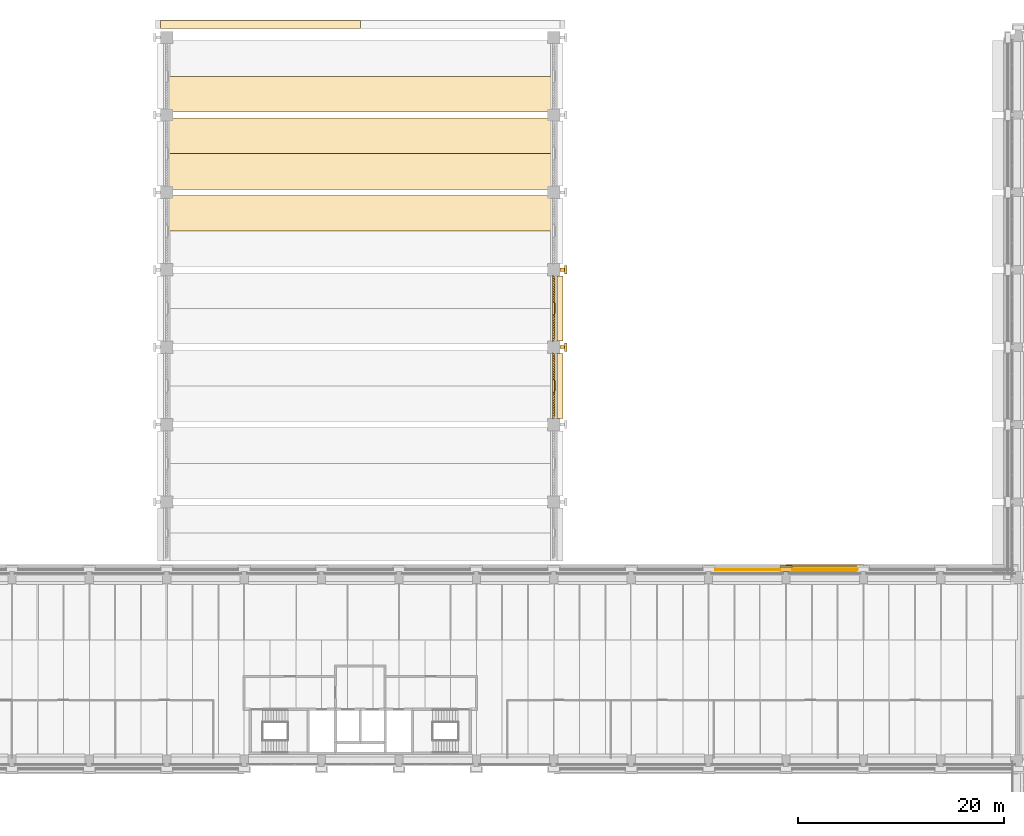
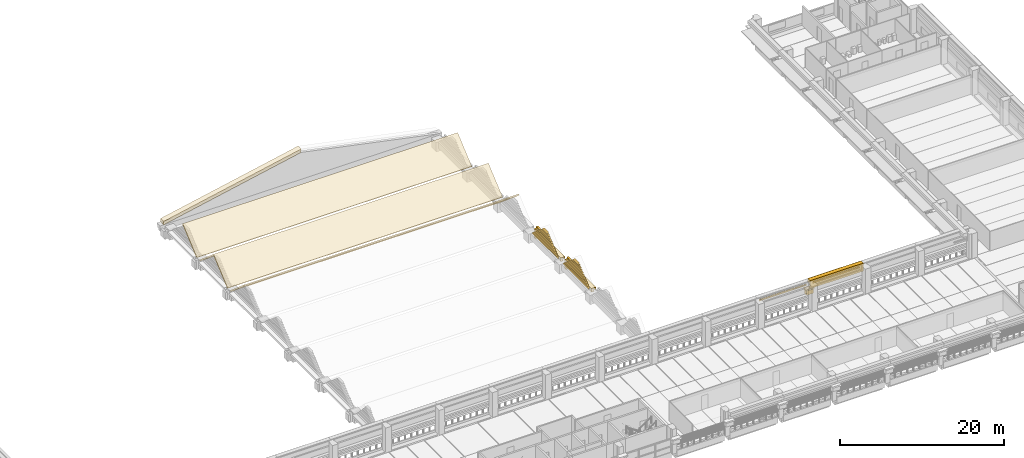
# One storey, part 56 of 71: 22 shading devices, 16 coverings, 3 elements without a shape of their own.
"""IFC4 building model written with IfcOpenShell, lengths in metres."""

import ifcopenshell
import ifcopenshell.guid

model = None  # the IFC model being written
_history = None  # IfcOwnerHistory: only IFC2X3 demands one
_inside = {}  # id of a spatial element -> (the spatial element, [elements in it])
_under = {}  # id of a project, library or spatial element -> (it, [spatial elements below it])
_declared = {}  # id of a project -> (the project, [libraries it declares])
_typed = {}  # id of a type object -> (the type object, [elements of that type])
_made_of = {}  # id of a material, layer set ... -> (it, [elements and type objects made of it])


def new_model(schema):
    """Start an empty IFC model of exactly this schema.

    Asked for "IFC4X3", IfcOpenShell would pick the latest addendum, in which some entities
    have other attributes; the version numbers below select the first issue.
    IFC2X3 requires an IfcOwnerHistory on every rooted entity: one is made here for all.
    """
    global model, _history
    if schema == "IFC4X3":
        model = ifcopenshell.file(schema_version=(4, 3, 0, 0))
    else:
        model = ifcopenshell.file(schema=schema)
    _inside.clear()
    _under.clear()
    _declared.clear()
    _typed.clear()
    _made_of.clear()
    _history = None
    if model.schema == "IFC2X3":
        org = make("IfcOrganization", Name="unknown")
        user = make(
            "IfcPersonAndOrganization",
            ThePerson=make("IfcPerson", FamilyName="unknown"),
            TheOrganization=org,
        )
        app = make(
            "IfcApplication",
            ApplicationDeveloper=org,
            Version="unknown",
            ApplicationFullName="unknown",
            ApplicationIdentifier="unknown",
        )
        _history = make(
            "IfcOwnerHistory",
            OwningUser=user,
            OwningApplication=app,
            ChangeAction="ADDED",
            CreationDate=0,
        )
    return model


def make(cls, **values):
    """One entity of the class cls with the attributes given. An attribute that is None is left unset."""
    return model.create_entity(
        cls, **{name: value for name, value in values.items() if value is not None}
    )


def rooted(cls, **values):
    """An entity with a GlobalId (a new one), such as an element, a storey or a relation."""
    return make(cls, GlobalId=ifcopenshell.guid.new(), OwnerHistory=_history, **values)


def si_unit(unit_type, name, prefix=None):
    """IfcSIUnit, for example si_unit("LENGTHUNIT", "METRE", prefix="MILLI")."""
    return make("IfcSIUnit", UnitType=unit_type, Prefix=prefix, Name=name)


def assignment(units):
    """IfcUnitAssignment: the units of a project."""
    return None if units is None else make("IfcUnitAssignment", Units=units)


def point(xyz):
    """IfcCartesianPoint."""
    return None if xyz is None else make("IfcCartesianPoint", Coordinates=xyz)


def direction(xyz):
    """IfcDirection."""
    return None if xyz is None else make("IfcDirection", DirectionRatios=xyz)


def frame(location, z_axis=None, x_axis=None):
    """IfcAxis2Placement3D, a coordinate frame: its origin and axes. An axis left out is left unset."""
    return make(
        "IfcAxis2Placement3D",
        Location=point(location),
        Axis=direction(z_axis),
        RefDirection=direction(x_axis),
    )


def origin():
    """The frame at (0, 0, 0) with its axes left unset."""
    return frame((0.0, 0.0, 0.0))


def place(relative_to, where):
    """IfcLocalPlacement: puts the frame where relative to a parent placement (None: the world)."""
    return make(
        "IfcLocalPlacement", PlacementRelTo=relative_to, RelativePlacement=where
    )


def context(
    kind, dimensions, precision=None, world=None, true_north=None, identifier=None
):
    """IfcGeometricRepresentationContext, for example the 3D "Model" context."""
    return make(
        "IfcGeometricRepresentationContext",
        ContextIdentifier=identifier,
        ContextType=kind,
        CoordinateSpaceDimension=dimensions,
        Precision=precision,
        WorldCoordinateSystem=world,
        TrueNorth=true_north,
    )


def subcontext(parent, identifier, kind, view, scale=None):
    """IfcGeometricRepresentationSubContext, for example "Body" below "Model"."""
    return make(
        "IfcGeometricRepresentationSubContext",
        ContextIdentifier=identifier,
        ContextType=kind,
        ParentContext=parent,
        TargetScale=scale,
        TargetView=view,
    )


def project(units=None, contexts=None):
    """IfcProject with its units and contexts."""
    return rooted(
        "IfcProject",
        Name="project",
        RepresentationContexts=contexts,
        UnitsInContext=assignment(units),
    )


def spatial(cls, under=None, at=None, **own):
    """A site, building, storey or space (cls), placed at a placement, below another one or the project."""
    s = rooted(cls, ObjectPlacement=at, **own)
    if under is not None:
        _under.setdefault(under.id(), (under, []))[1].append(s)
    return s


def polyline(points):
    """IfcPolyline through the points."""
    return make("IfcPolyline", Points=[point(p) for p in points])


def outline(outer, holes=None, kind="AREA"):
    """IfcArbitraryClosedProfileDef: a profile drawn as a closed curve; with holes, ...WithVoids."""
    if holes is None:
        return make("IfcArbitraryClosedProfileDef", ProfileType=kind, OuterCurve=outer)
    return make(
        "IfcArbitraryProfileDefWithVoids",
        ProfileType=kind,
        OuterCurve=outer,
        InnerCurves=holes,
    )


def extrude(swept, where, along, depth):
    """IfcExtrudedAreaSolid: the profile swept, set in the frame where, extruded along a direction by depth."""
    return make(
        "IfcExtrudedAreaSolid",
        SweptArea=swept,
        Position=where,
        ExtrudedDirection=direction(along),
        Depth=depth,
    )


def shape(context_of_items, identifier, shape_type, items):
    """IfcShapeRepresentation: the items that make up one representation, for example the "Body"."""
    return make(
        "IfcShapeRepresentation",
        ContextOfItems=context_of_items,
        RepresentationIdentifier=identifier,
        RepresentationType=shape_type,
        Items=items,
    )


def material(Name=None, Category=None):
    """IfcMaterial."""
    return make("IfcMaterial", Name=Name, Category=Category)


def layer(
    of_material, thickness, ventilated=None, Name=None, Category=None, Priority=None
):
    """IfcMaterialLayer: one layer of a wall or slab, of a material (None: an air gap)."""
    return make(
        "IfcMaterialLayer",
        Material=of_material,
        LayerThickness=thickness,
        IsVentilated=ventilated,
        Name=Name,
        Category=Category,
        Priority=Priority,
    )


def layer_set(layers, Name=None):
    """IfcMaterialLayerSet."""
    return make("IfcMaterialLayerSet", MaterialLayers=layers, LayerSetName=Name)


def material_profile(
    of_material, cross_section, Name=None, Category=None, Priority=None
):
    """IfcMaterialProfile: a cross section and its material."""
    return make(
        "IfcMaterialProfile",
        Name=Name,
        Material=of_material,
        Profile=cross_section,
        Priority=Priority,
        Category=Category,
    )


def profile_set(profiles, Name=None, composite=None):
    """IfcMaterialProfileSet."""
    return make(
        "IfcMaterialProfileSet",
        Name=Name,
        MaterialProfiles=profiles,
        CompositeProfile=composite,
    )


def made_of(thing, what):
    """Note that an element or type object is made of a material, layer set ...; save() writes the relation."""
    if what is not None:
        _made_of.setdefault(what.id(), (what, []))[1].append(thing)
    return thing


def type_object(cls, material=None, **own):
    """A type object (cls), such as IfcWallType, which elements share."""
    return made_of(rooted(cls, **own), material)


def element(
    cls,
    number,
    at=None,
    inside=None,
    cuts=None,
    type_object=None,
    material=None,
    context=None,
    identifier="Body",
    shape_type=None,
    held_by="IfcProductDefinitionShape",
    body=None,
    shapes=None,
    **own,
):
    """One element of the class cls, such as IfcWall. Its Tag is "e" and its number.

    at: its placement. inside: the storey or other place that contains it. cuts: it is an
    opening in that element (IfcRelVoidsElement). A single representation is given by context,
    identifier, shape_type and body (its items); several are given by shapes. held_by: the class
    of the entity that holds the representations. save() writes the other relations.
    """
    e = rooted(cls, Tag="e%d" % number, ObjectPlacement=at, **own)
    if body is not None:
        shapes = [shape(context, identifier, shape_type, body)]
    if shapes is not None:
        e.Representation = make(held_by, Representations=shapes)
    if inside is not None:
        _inside.setdefault(inside.id(), (inside, []))[1].append(e)
    if cuts is not None:
        rooted(
            "IfcRelVoidsElement", RelatingBuildingElement=cuts, RelatedOpeningElement=e
        )
    if type_object is not None:
        _typed.setdefault(type_object.id(), (type_object, []))[1].append(e)
    return made_of(e, material)


def aggregate(whole, parts):
    """IfcRelAggregates: a whole, such as a stair, and the parts it consists of."""
    return rooted("IfcRelAggregates", RelatingObject=whole, RelatedObjects=parts)


def save(model, path):
    """Write the relations noted so far, then the file.

    IfcRelAggregates (storeys below a building ...), IfcRelContainedInSpatialStructure (elements
    in a storey), IfcRelDefinesByType, IfcRelAssociatesMaterial and IfcRelDeclares: one each for
    every whole, place, type object, material and project.
    """
    for whole, parts in _under.values():
        aggregate(whole, parts)
    for where, things in _inside.values():
        rooted(
            "IfcRelContainedInSpatialStructure",
            RelatedElements=things,
            RelatingStructure=where,
        )
    for kind, things in _typed.values():
        rooted("IfcRelDefinesByType", RelatedObjects=things, RelatingType=kind)
    for what, things in _made_of.values():
        rooted("IfcRelAssociatesMaterial", RelatedObjects=things, RelatingMaterial=what)
    for by, libraries in _declared.values():
        rooted("IfcRelDeclares", RelatingContext=by, RelatedDefinitions=libraries)
    model.write(path)


model = new_model("IFC4")

# Units and contexts
model_context = context("Model", 3, precision=1e-05, world=origin(), true_north=direction((0.0, 1.0)))
body_context = subcontext(model_context, "Body", "Model", "MODEL_VIEW")
ifc_project = project(units=[si_unit("LENGTHUNIT", "METRE"), si_unit("AREAUNIT", "SQUARE_METRE"), si_unit("VOLUMEUNIT", "CUBIC_METRE"), si_unit("PLANEANGLEUNIT", "RADIAN"), si_unit("MASSUNIT", "GRAM", prefix="KILO")], contexts=[model_context])

# Site, building, storey
site_placement = place(None, origin())
site = spatial("IfcSite", under=ifc_project, at=site_placement, CompositionType="ELEMENT")
building_placement = place(site_placement, origin())
building = spatial("IfcBuilding", under=site, at=building_placement, Name="Cour d'Honneur Mobility Palace", CompositionType="ELEMENT")
storey_placement = place(building_placement, frame((0.0, 0.0, 15.60009765625)))
storey = spatial("IfcBuildingStorey", under=building, at=storey_placement, Name="L04", CompositionType="ELEMENT", Elevation=15.60009765625)

# Coverings
ifc_material_1 = material(Name="Cast limestone", Category="masonry")
ifc_layer_1 = layer(ifc_material_1, 0.14990234375)
ifc_layer_set_1 = layer_set([ifc_layer_1], Name="Cast limestone")
covering_type_1 = type_object("IfcCoveringType", Name="Dentil course", PredefinedType="CLADDING", material=ifc_layer_set_1)
covering_1_placement = place(storey_placement, frame((0.0, 0.0, 3.14990234375)))
element("IfcCovering", 1, at=covering_1_placement, inside=storey, type_object=covering_type_1, Name="Dentil course DC-97", PredefinedType="CLADDING", context=body_context, shape_type="SweptSolid", body=[
    extrude(outline(polyline([(129.449951171875, 63.300048828125), (122.85009765625, 63.300048828125), (122.85009765625, 63.330078125), (122.85009765625, 63.330078125), (122.928466796875, 63.330078125), (122.928466796875, 63.449951171875), (123.085693359375, 63.449951171875), (123.085693359375, 63.330078125), (123.164306640625, 63.330078125), (123.164306640625, 63.330078125), (123.242919921875, 63.330078125), (123.242919921875, 63.449951171875), (123.39990234375, 63.449951171875), (123.39990234375, 63.330078125), (123.478515625, 63.330078125), (123.478515625, 63.330078125), (123.55712890625, 63.330078125), (123.55712890625, 63.449951171875), (123.71435546875, 63.449951171875), (123.71435546875, 63.330078125), (123.79296875, 63.330078125), (123.79296875, 63.330078125), (123.871337890625, 63.330078125), (123.871337890625, 63.449951171875), (124.028564453125, 63.449951171875), (124.028564453125, 63.330078125), (124.107177734375, 63.330078125), (124.107177734375, 63.330078125), (124.185791015625, 63.330078125), (124.185791015625, 63.449951171875), (124.3427734375, 63.449951171875), (124.3427734375, 63.330078125), (124.42138671875, 63.330078125), (124.42138671875, 63.330078125), (124.5, 63.330078125), (124.5, 63.449951171875), (124.6572265625, 63.449951171875), (124.6572265625, 63.330078125), (124.735595703125, 63.330078125), (124.735595703125, 63.330078125), (124.814208984375, 63.330078125), (124.814208984375, 63.449951171875), (124.971435546875, 63.449951171875), (124.971435546875, 63.330078125), (125.050048828125, 63.330078125), (125.050048828125, 63.330078125), (125.128662109375, 63.330078125), (125.128662109375, 63.449951171875), (125.28564453125, 63.449951171875), (125.28564453125, 63.330078125), (125.3642578125, 63.330078125), (125.3642578125, 63.330078125), (125.44287109375, 63.330078125), (125.44287109375, 63.449951171875), (125.60009765625, 63.449951171875), (125.60009765625, 63.330078125), (125.678466796875, 63.330078125), (125.678466796875, 63.330078125), (125.757080078125, 63.330078125), (125.757080078125, 63.449951171875), (125.914306640625, 63.449951171875), (125.914306640625, 63.330078125), (125.992919921875, 63.330078125), (125.992919921875, 63.330078125), (126.071533203125, 63.330078125), (126.071533203125, 63.449951171875), (126.228515625, 63.449951171875), (126.228515625, 63.330078125), (126.30712890625, 63.330078125), (126.30712890625, 63.330078125), (126.3857421875, 63.330078125), (126.3857421875, 63.449951171875), (126.54296875, 63.449951171875), (126.54296875, 63.330078125), (126.621337890625, 63.330078125), (126.621337890625, 63.330078125), (126.699951171875, 63.330078125), (126.699951171875, 63.449951171875), (126.857177734375, 63.449951171875), (126.857177734375, 63.330078125), (126.935791015625, 63.330078125), (126.935791015625, 63.330078125), (127.014404296875, 63.330078125), (127.014404296875, 63.449951171875), (127.17138671875, 63.449951171875), (127.17138671875, 63.330078125), (127.25, 63.330078125), (127.25, 63.330078125), (127.32861328125, 63.330078125), (127.32861328125, 63.449951171875), (127.485595703125, 63.449951171875), (127.485595703125, 63.330078125), (127.564208984375, 63.330078125), (127.564208984375, 63.330078125), (127.642822265625, 63.330078125), (127.642822265625, 63.449951171875), (127.800048828125, 63.449951171875), (127.800048828125, 63.330078125), (127.878662109375, 63.330078125), (127.878662109375, 63.330078125), (127.95703125, 63.330078125), (127.95703125, 63.449951171875), (128.1142578125, 63.449951171875), (128.1142578125, 63.330078125), (128.19287109375, 63.330078125), (128.19287109375, 63.330078125), (128.271484375, 63.330078125), (128.271484375, 63.449951171875), (128.428466796875, 63.449951171875), (128.428466796875, 63.330078125), (128.507080078125, 63.330078125), (128.507080078125, 63.330078125), (128.585693359375, 63.330078125), (128.585693359375, 63.449951171875), (128.742919921875, 63.449951171875), (128.742919921875, 63.330078125), (128.821533203125, 63.330078125), (128.821533203125, 63.330078125), (128.89990234375, 63.330078125), (128.89990234375, 63.449951171875), (129.05712890625, 63.449951171875), (129.05712890625, 63.330078125), (129.1357421875, 63.330078125), (129.1357421875, 63.330078125), (129.21435546875, 63.330078125), (129.21435546875, 63.449951171875), (129.371337890625, 63.449951171875), (129.371337890625, 63.330078125), (129.449951171875, 63.330078125), (129.449951171875, 63.300048828125)])), origin(), (0.0, 0.0, 1.0), 0.14990234375),
])
covering_2_placement = place(storey_placement, frame((0.0, 0.0, 3.14990234375)))
element("IfcCovering", 2, at=covering_2_placement, inside=storey, type_object=covering_type_1, Name="Dentil course DC-98", PredefinedType="CLADDING", context=body_context, shape_type="SweptSolid", body=[
    extrude(outline(polyline([(121.949951171875, 63.300048828125), (115.35009765625, 63.300048828125), (115.35009765625, 63.330078125), (115.35009765625, 63.330078125), (115.428466796875, 63.330078125), (115.428466796875, 63.449951171875), (115.585693359375, 63.449951171875), (115.585693359375, 63.330078125), (115.664306640625, 63.330078125), (115.664306640625, 63.330078125), (115.742919921875, 63.330078125), (115.742919921875, 63.449951171875), (115.89990234375, 63.449951171875), (115.89990234375, 63.330078125), (115.978515625, 63.330078125), (115.978515625, 63.330078125), (116.05712890625, 63.330078125), (116.05712890625, 63.449951171875), (116.21435546875, 63.449951171875), (116.21435546875, 63.330078125), (116.29296875, 63.330078125), (116.29296875, 63.330078125), (116.371337890625, 63.330078125), (116.371337890625, 63.449951171875), (116.528564453125, 63.449951171875), (116.528564453125, 63.330078125), (116.607177734375, 63.330078125), (116.607177734375, 63.330078125), (116.685791015625, 63.330078125), (116.685791015625, 63.449951171875), (116.8427734375, 63.449951171875), (116.8427734375, 63.330078125), (116.92138671875, 63.330078125), (116.92138671875, 63.330078125), (117.0, 63.330078125), (117.0, 63.449951171875), (117.1572265625, 63.449951171875), (117.1572265625, 63.330078125), (117.235595703125, 63.330078125), (117.235595703125, 63.330078125), (117.314208984375, 63.330078125), (117.314208984375, 63.449951171875), (117.471435546875, 63.449951171875), (117.471435546875, 63.330078125), (117.550048828125, 63.330078125), (117.550048828125, 63.330078125), (117.628662109375, 63.330078125), (117.628662109375, 63.449951171875), (117.78564453125, 63.449951171875), (117.78564453125, 63.330078125), (117.8642578125, 63.330078125), (117.8642578125, 63.330078125), (117.94287109375, 63.330078125), (117.94287109375, 63.449951171875), (118.10009765625, 63.449951171875), (118.10009765625, 63.330078125), (118.178466796875, 63.330078125), (118.178466796875, 63.330078125), (118.257080078125, 63.330078125), (118.257080078125, 63.449951171875), (118.414306640625, 63.449951171875), (118.414306640625, 63.330078125), (118.492919921875, 63.330078125), (118.492919921875, 63.330078125), (118.571533203125, 63.330078125), (118.571533203125, 63.449951171875), (118.728515625, 63.449951171875), (118.728515625, 63.330078125), (118.80712890625, 63.330078125), (118.80712890625, 63.330078125), (118.8857421875, 63.330078125), (118.8857421875, 63.449951171875), (119.04296875, 63.449951171875), (119.04296875, 63.330078125), (119.121337890625, 63.330078125), (119.121337890625, 63.330078125), (119.199951171875, 63.330078125), (119.199951171875, 63.449951171875), (119.357177734375, 63.449951171875), (119.357177734375, 63.330078125), (119.435791015625, 63.330078125), (119.435791015625, 63.330078125), (119.514404296875, 63.330078125), (119.514404296875, 63.449951171875), (119.67138671875, 63.449951171875), (119.67138671875, 63.330078125), (119.75, 63.330078125), (119.75, 63.330078125), (119.82861328125, 63.330078125), (119.82861328125, 63.449951171875), (119.985595703125, 63.449951171875), (119.985595703125, 63.330078125), (120.064208984375, 63.330078125), (120.064208984375, 63.330078125), (120.142822265625, 63.330078125), (120.142822265625, 63.449951171875), (120.300048828125, 63.449951171875), (120.300048828125, 63.330078125), (120.378662109375, 63.330078125), (120.378662109375, 63.330078125), (120.45703125, 63.330078125), (120.45703125, 63.449951171875), (120.6142578125, 63.449951171875), (120.6142578125, 63.330078125), (120.69287109375, 63.330078125), (120.69287109375, 63.330078125), (120.771484375, 63.330078125), (120.771484375, 63.449951171875), (120.928466796875, 63.449951171875), (120.928466796875, 63.330078125), (121.007080078125, 63.330078125), (121.007080078125, 63.330078125), (121.085693359375, 63.330078125), (121.085693359375, 63.449951171875), (121.242919921875, 63.449951171875), (121.242919921875, 63.330078125), (121.321533203125, 63.330078125), (121.321533203125, 63.330078125), (121.39990234375, 63.330078125), (121.39990234375, 63.449951171875), (121.55712890625, 63.449951171875), (121.55712890625, 63.330078125), (121.6357421875, 63.330078125), (121.6357421875, 63.330078125), (121.71435546875, 63.330078125), (121.71435546875, 63.449951171875), (121.871337890625, 63.449951171875), (121.871337890625, 63.330078125), (121.949951171875, 63.330078125), (121.949951171875, 63.300048828125)])), origin(), (0.0, 0.0, 1.0), 0.14990234375),
])
ifc_material_2 = material(Name="Cast limestone", Category="masonry")
ifc_layer_2 = layer(ifc_material_2, 0.699951171875)
ifc_layer_set_2 = layer_set([ifc_layer_2], Name="Cast limestone")
covering_type_2 = type_object("IfcCoveringType", Name="Entablature", PredefinedType="CLADDING", material=ifc_layer_set_2)
covering_3_placement = place(storey_placement, frame((129.89990234375, 63.14990234375, 2.599853515625), z_axis=(1.0, 0.0, 0.0), x_axis=(0.0, 1.0, 0.0)))
element("IfcCovering", 3, at=covering_3_placement, inside=storey, type_object=covering_type_2, Name="Entablature EN-97", PredefinedType="CLADDING", context=body_context, shape_type="SweptSolid", body=[
    extrude(outline(polyline([(0.0, 0.0), (0.150146484375, 0.0), (0.150146484375, 0.699951171875), (0.7001953125, 0.699951171875), (0.7001953125, 1.10009765625), (0.550048828125, 1.199951171875), (0.0, 1.199951171875), (0.0, 0.0)])), origin(), (0.0, 0.0, -1.0), 7.5),
])

# Roof, covering
ifc_material_3 = material(Name="Concrete C50", Category="concrete")
ifc_layer_3 = layer(ifc_material_3, 0.179931640625)
ifc_layer_set_3 = layer_set([ifc_layer_3], Name="Concrete C50")
roof_type = type_object("IfcRoofType", Name="Folded plate roof", PredefinedType="FREEFORM", material=ifc_layer_set_3)
roof_1_placement = place(storey_placement, origin())
roof_1 = element("IfcRoof", 4, at=roof_1_placement, inside=storey, type_object=roof_type, Name="Folded unit FU5", PredefinedType="FREEFORM")
ifc_material_4 = material(Name="Concrete C50", Category="concrete")
ifc_material_profile_1 = material_profile(ifc_material_4, outline(polyline([(3.449951171875, 0.0), (3.25, 0.0), (0.0, 2.763671875), (0.0, 3.0), (3.449951171875, 0.066162109375), (3.449951171875, 0.0)])), Name="Folded roof plate 7500 mm bay falling")
ifc_profile_set_1 = profile_set([ifc_material_profile_1], Name="Concrete C50")
covering_type_3 = type_object("IfcCoveringType", Name="Folded roof plate 7500 mm bay falling", PredefinedType="ROOFING", material=ifc_profile_set_1)
covering_4_placement = place(storey_placement, frame((61.800048828125, 96.14990234375, 1.39990234375), z_axis=(1.0, 0.0, 0.0), x_axis=(0.0, 1.0, 0.0)))
covering_4 = element("IfcCovering", 5, at=covering_4_placement, type_object=covering_type_3, Name="Folded roof plate FP10", PredefinedType="ROOFING", context=body_context, shape_type="SweptSolid", body=[
    extrude(outline(polyline([(3.449951171875, 0.0), (3.25, 0.0), (0.0, 2.763671875), (0.0, 3.0), (3.449951171875, 0.066162109375), (3.449951171875, 0.0)])), origin(), (0.0, 0.0, 1.0), 38.699951171875),
])
aggregate(roof_1, [covering_4])

# Roof, coverings
roof_2_placement = place(storey_placement, origin())
roof_2 = element("IfcRoof", 6, at=roof_2_placement, inside=storey, type_object=roof_type, Name="Folded unit FU6", PredefinedType="FREEFORM")
covering_5_placement = place(storey_placement, frame((61.800048828125, 103.64990234375, 1.39990234375), z_axis=(1.0, 0.0, 0.0), x_axis=(0.0, 1.0, 0.0)))
covering_5 = element("IfcCovering", 7, at=covering_5_placement, type_object=covering_type_3, Name="Folded roof plate FP12", PredefinedType="ROOFING", context=body_context, shape_type="SweptSolid", body=[
    extrude(outline(polyline([(3.449951171875, 0.0), (3.25, 0.0), (0.0, 2.763671875), (0.0, 3.0), (3.449951171875, 0.066162109375), (3.449951171875, 0.0)])), origin(), (0.0, 0.0, 1.0), 38.699951171875),
])
ifc_material_5 = material(Name="Concrete C50", Category="concrete")
ifc_material_profile_2 = material_profile(ifc_material_5, outline(polyline([(-3.449951171875, 0.066162109375), (0.0, 3.0), (0.0, 2.763671875), (-3.25, 0.0), (-3.449951171875, 0.0), (-3.449951171875, 0.066162109375)])), Name="Folded roof plate 7500 mm bay rising")
ifc_profile_set_2 = profile_set([ifc_material_profile_2], Name="Concrete C50")
covering_type_4 = type_object("IfcCoveringType", Name="Folded roof plate 7500 mm bay rising", PredefinedType="ROOFING", material=ifc_profile_set_2)
covering_6_placement = place(storey_placement, frame((61.800048828125, 103.64990234375, 1.39990234375), z_axis=(1.0, 0.0, 0.0), x_axis=(0.0, 1.0, 0.0)))
covering_6 = element("IfcCovering", 8, at=covering_6_placement, type_object=covering_type_4, Name="Folded roof plate FP11", PredefinedType="ROOFING", context=body_context, shape_type="SweptSolid", body=[
    extrude(outline(polyline([(-3.449951171875, 0.066162109375), (0.0, 3.0), (0.0, 2.763671875), (-3.25, 0.0), (-3.449951171875, 0.0), (-3.449951171875, 0.066162109375)])), origin(), (0.0, 0.0, 1.0), 38.699951171875),
])
aggregate(roof_2, [covering_6, covering_5])

# Roof, covering
roof_3_placement = place(storey_placement, origin())
roof_3 = element("IfcRoof", 9, at=roof_3_placement, inside=storey, type_object=roof_type, Name="Folded unit FU7", PredefinedType="FREEFORM")
covering_7_placement = place(storey_placement, frame((61.800048828125, 111.14990234375, 1.39990234375), z_axis=(1.0, 0.0, 0.0), x_axis=(0.0, 1.0, 0.0)))
covering_7 = element("IfcCovering", 10, at=covering_7_placement, type_object=covering_type_4, Name="Folded roof plate FP13", PredefinedType="ROOFING", context=body_context, shape_type="SweptSolid", body=[
    extrude(outline(polyline([(-3.449951171875, 0.066162109375), (0.0, 3.0), (0.0, 2.763671875), (-3.25, 0.0), (-3.449951171875, 0.0), (-3.449951171875, 0.066162109375)])), origin(), (0.0, 0.0, 1.0), 38.699951171875),
])
aggregate(roof_3, [covering_7])

# Coverings
ifc_material_6 = material(Name="Cast limestone", Category="masonry")
ifc_layer_4 = layer(ifc_material_6, 0.39990234375)
ifc_layer_set_4 = layer_set([ifc_layer_4], Name="Cast limestone")
covering_type_5 = type_object("IfcCoveringType", Name="Hall eave cornice", PredefinedType="CLADDING", material=ifc_layer_set_4)
for number, where, z_axis, x_axis, name in (
    (11, (100.199951171875, 78.0, 0.849853515625), (0.0, -1.0, 0.0), (1.0, 0.0, 0.0), "Hall eave cornice EB-E3"),
    (12, (100.199951171875, 85.5, 0.849853515625), (0.0, -1.0, 0.0), (1.0, 0.0, 0.0), "Hall eave cornice EB-E4"),
):
    element("IfcCovering", number, at=place(storey_placement, frame(where, z_axis=z_axis, x_axis=x_axis)), inside=storey, type_object=covering_type_5, Name=name, PredefinedType="CLADDING", context=body_context, shape_type="SweptSolid", body=[
        extrude(outline(polyline([(0.0, 0.0), (0.35009765625, 0.0), (0.35009765625, 0.25), (0.60009765625, 0.25), (0.60009765625, 0.550048828125), (0.0, 0.550048828125), (0.0, 0.0)])), origin(), (0.0, 0.0, -1.0), 6.300048828125),
    ])
ifc_material_7 = material(Name="Cast limestone", Category="masonry")
ifc_layer_5 = layer(ifc_material_7, 0.39990234375)
ifc_layer_set_5 = layer_set([ifc_layer_5], Name="Cast limestone")
covering_type_6 = type_object("IfcCoveringType", Name="Pediment raking cornice", PredefinedType="CLADDING", material=ifc_layer_set_5)
covering_8_placement = place(storey_placement, frame((61.800048828125, 116.550048828125, 1.89990234375), z_axis=(0.0, 1.0, 0.0), x_axis=(0.979294725947, 0.0, 0.202439718762)))
element("IfcCovering", 13, at=covering_8_placement, inside=storey, type_object=covering_type_6, Name="Pediment raking cornice W", PredefinedType="CLADDING", context=body_context, shape_type="SweptSolid", body=[
    extrude(outline(polyline([(0.0, 0.0), (19.758968370746107, 0.0), (19.657748511365135, 0.48964736297349365), (-0.10121985938097226, 0.4896473629734936), (0.0, 0.0)])), origin(), (0.0, 0.0, -1.0), 0.75),
])
ifc_material_8 = material(Name="Cast limestone", Category="masonry")
ifc_layer_6 = layer(ifc_material_8, 0.300048828125)
ifc_layer_set_6 = layer_set([ifc_layer_6], Name="Cast limestone")
covering_type_7 = type_object("IfcCoveringType", Name="Pier fin", PredefinedType="CLADDING", material=ifc_layer_set_6)
covering_9_placement = place(storey_placement, origin())
element("IfcCovering", 14, at=covering_9_placement, inside=storey, type_object=covering_type_7, Name="Pier fin HP-E4 L04", PredefinedType="CLADDING", context=body_context, shape_type="SweptSolid", body=[
    extrude(outline(polyline([(100.5, 84.75), (100.949951171875, 84.75), (100.949951171875, 85.050048828125), (100.5, 85.050048828125), (100.5, 84.75)])), origin(), (0.0, 0.0, 1.0), 1.39990234375),
])
covering_10_placement = place(storey_placement, origin())
element("IfcCovering", 15, at=covering_10_placement, inside=storey, type_object=covering_type_7, Name="Pier fin HP-E5 L04", PredefinedType="CLADDING", context=body_context, shape_type="SweptSolid", body=[
    extrude(outline(polyline([(100.5, 92.25), (100.949951171875, 92.25), (100.949951171875, 92.550048828125), (100.5, 92.550048828125), (100.5, 92.25)])), origin(), (0.0, 0.0, 1.0), 1.39990234375),
])
ifc_material_9 = material(Name="Cast limestone", Category="masonry")
ifc_layer_7 = layer(ifc_material_9, 0.1201171875)
ifc_layer_set_7 = layer_set([ifc_layer_7], Name="Cast limestone")
covering_type_8 = type_object("IfcCoveringType", Name="Pilaster capital", PredefinedType="CLADDING", material=ifc_layer_set_7)
covering_11_placement = place(storey_placement, frame((0.0, 0.0, 1.7998046875)))
element("IfcCovering", 16, at=covering_11_placement, inside=storey, type_object=covering_type_8, Name="Pilaster capital PK-129", PredefinedType="CLADDING", context=body_context, shape_type="SweptSolid", body=[
    extrude(outline(polyline([(122.89990234375, 63.14990234375), (121.89990234375, 63.14990234375), (121.89990234375, 63.6201171875), (122.89990234375, 63.6201171875), (122.89990234375, 63.14990234375)])), origin(), (0.0, 0.0, 1.0), 0.6201171875),
])
covering_12_placement = place(storey_placement, frame((0.0, 0.0, 2.419921875)))
element("IfcCovering", 17, at=covering_12_placement, inside=storey, type_object=covering_type_8, Name="Pilaster capital PK-130", PredefinedType="CLADDING", context=body_context, shape_type="SweptSolid", body=[
    extrude(outline(polyline([(123.0, 63.14990234375), (121.800048828125, 63.14990234375), (121.800048828125, 63.75), (123.0, 63.75), (123.0, 63.14990234375)])), origin(), (0.0, 0.0, 1.0), 0.179931640625),
])
covering_13_placement = place(storey_placement, frame((0.0, 0.0, 0.39990234375)))
element("IfcCovering", 18, at=covering_13_placement, inside=storey, type_object=covering_type_8, Name="Hall pilaster capital HP-E4", PredefinedType="CLADDING", context=body_context, shape_type="SweptSolid", body=[
    extrude(outline(polyline([(100.949951171875, 84.5), (101.199951171875, 84.5), (101.199951171875, 85.300048828125), (100.949951171875, 85.300048828125), (100.949951171875, 84.5)])), origin(), (0.0, 0.0, 1.0), 1.0),
])
covering_14_placement = place(storey_placement, frame((0.0, 0.0, 0.39990234375)))
element("IfcCovering", 19, at=covering_14_placement, inside=storey, type_object=covering_type_8, Name="Hall pilaster capital HP-E5", PredefinedType="CLADDING", context=body_context, shape_type="SweptSolid", body=[
    extrude(outline(polyline([(100.949951171875, 92.0), (101.199951171875, 92.0), (101.199951171875, 92.800048828125), (100.949951171875, 92.800048828125), (100.949951171875, 92.0)])), origin(), (0.0, 0.0, 1.0), 1.0),
])

# Shading devices
ifc_material_10 = material(Name="Terracotta", Category="masonry")
ifc_layer_8 = layer(ifc_material_10, 0.02490234375)
ifc_layer_set_8 = layer_set([ifc_layer_8], Name="Terracotta")
shading_device_type = type_object("IfcShadingDeviceType", Name="Terracotta louvre blade", PredefinedType="JALOUSIE", material=ifc_layer_set_8)
shading_device_1_placement = place(storey_placement, frame((99.7939453125, 77.9208984375, 1.41748046875), z_axis=(-0.707106781187, 0.0, 0.707106781187), x_axis=(0.0, 1.0, 0.0)))
element("IfcShadingDevice", 20, at=shading_device_1_placement, inside=storey, type_object=shading_device_type, Name="Gable louvre blade LV-3 E3 1", PredefinedType="JALOUSIE", context=body_context, shape_type="SweptSolid", body=[
    extrude(outline(polyline([(0.0, 0.0), (6.458251953125, 0.0), (6.208984375, -0.300037008228081), (0.249267578125, -0.300037008228081), (0.0, 0.0)])), origin(), (0.0, 0.0, -1.0), 0.02490234375),
])
shading_device_2_placement = place(storey_placement, frame((99.7939453125, 78.170166015625, 1.629638671875), z_axis=(-0.707106781187, 0.0, 0.707106781187), x_axis=(0.0, 1.0, 0.0)))
element("IfcShadingDevice", 21, at=shading_device_2_placement, inside=storey, type_object=shading_device_type, Name="Gable louvre blade LV-3 E3 2", PredefinedType="JALOUSIE", context=body_context, shape_type="SweptSolid", body=[
    extrude(outline(polyline([(0.0, 0.0), (5.959716796875, 0.0), (5.710205078125, -0.30003700822808094), (0.24951171875, -0.30003700822808094), (0.0, 0.0)])), origin(), (0.0, 0.0, -1.0), 0.02490234375),
])
shading_device_3_placement = place(storey_placement, frame((99.7939453125, 78.419677734375, 1.841796875), z_axis=(-0.707106781187, 0.0, 0.707106781187), x_axis=(0.0, 1.0, 0.0)))
element("IfcShadingDevice", 22, at=shading_device_3_placement, inside=storey, type_object=shading_device_type, Name="Gable louvre blade LV-3 E3 3", PredefinedType="JALOUSIE", context=body_context, shape_type="SweptSolid", body=[
    extrude(outline(polyline([(0.0, 0.0), (5.460693359375, 0.0), (5.211181640625, -0.300037008228081), (0.24951171875, -0.300037008228081), (0.0, 0.0)])), origin(), (0.0, 0.0, -1.0), 0.02490234375),
])
shading_device_4_placement = place(storey_placement, frame((99.7939453125, 78.669189453125, 2.053955078125), z_axis=(-0.707106781187, 0.0, 0.707106781187), x_axis=(0.0, 1.0, 0.0)))
element("IfcShadingDevice", 23, at=shading_device_4_placement, inside=storey, type_object=shading_device_type, Name="Gable louvre blade LV-3 E3 4", PredefinedType="JALOUSIE", context=body_context, shape_type="SweptSolid", body=[
    extrude(outline(polyline([(0.0, 0.0), (4.961669921875, 0.0), (4.712158203125, -0.300037008228081), (0.24951171875, -0.300037008228081), (0.0, 0.0)])), origin(), (0.0, 0.0, -1.0), 0.02490234375),
])
shading_device_5_placement = place(storey_placement, frame((99.7939453125, 78.918701171875, 2.26611328125), z_axis=(-0.707106781187, 0.0, 0.707106781187), x_axis=(0.0, 1.0, 0.0)))
element("IfcShadingDevice", 24, at=shading_device_5_placement, inside=storey, type_object=shading_device_type, Name="Gable louvre blade LV-3 E3 5", PredefinedType="JALOUSIE", context=body_context, shape_type="SweptSolid", body=[
    extrude(outline(polyline([(0.0, 0.0), (4.462646484375, 0.0), (4.213134765625, -0.30003700822808094), (0.24951171875, -0.30003700822808094), (0.0, 0.0)])), origin(), (0.0, 0.0, -1.0), 0.02490234375),
])
shading_device_6_placement = place(storey_placement, frame((99.7939453125, 79.168212890625, 2.478271484375), z_axis=(-0.707106781187, 0.0, 0.707106781187), x_axis=(0.0, 1.0, 0.0)))
element("IfcShadingDevice", 25, at=shading_device_6_placement, inside=storey, type_object=shading_device_type, Name="Gable louvre blade LV-3 E3 6", PredefinedType="JALOUSIE", context=body_context, shape_type="SweptSolid", body=[
    extrude(outline(polyline([(0.0, 0.0), (3.963623046875, 0.0), (3.71435546875, -0.300037008228081), (0.249267578125, -0.300037008228081), (0.0, 0.0)])), origin(), (0.0, 0.0, -1.0), 0.02490234375),
])
shading_device_7_placement = place(storey_placement, frame((99.7939453125, 79.41748046875, 2.6904296875), z_axis=(-0.707106781187, 0.0, 0.707106781187), x_axis=(0.0, 1.0, 0.0)))
element("IfcShadingDevice", 26, at=shading_device_7_placement, inside=storey, type_object=shading_device_type, Name="Gable louvre blade LV-3 E3 7", PredefinedType="JALOUSIE", context=body_context, shape_type="SweptSolid", body=[
    extrude(outline(polyline([(0.0, 0.0), (3.465087890625, 0.0), (3.215576171875, -0.30003700822808094), (0.24951171875, -0.30003700822808094), (0.0, 0.0)])), origin(), (0.0, 0.0, -1.0), 0.02490234375),
])
shading_device_8_placement = place(storey_placement, frame((99.7939453125, 79.6669921875, 2.902587890625), z_axis=(-0.706699578995, 0.0, 0.707513749017), x_axis=(0.0, 1.0, 0.0)))
element("IfcShadingDevice", 27, at=shading_device_8_placement, inside=storey, type_object=shading_device_type, Name="Gable louvre blade LV-3 E3 8", PredefinedType="JALOUSIE", context=body_context, shape_type="SweptSolid", body=[
    extrude(outline(polyline([(0.0, 0.0), (2.966064453125, 0.0), (2.716552734375, -0.29986442442957895), (0.24951171875, -0.29986442442957895), (0.0, 0.0)])), origin(), (0.0, 0.0, -1.0), 0.02490234375),
])
shading_device_9_placement = place(storey_placement, frame((99.7939453125, 79.91650390625, 3.114501953125), z_axis=(-0.707513281104, 0.0, 0.706700047447), x_axis=(0.0, 1.0, 0.0)))
element("IfcShadingDevice", 28, at=shading_device_9_placement, inside=storey, type_object=shading_device_type, Name="Gable louvre blade LV-3 E3 9", PredefinedType="JALOUSIE", context=body_context, shape_type="SweptSolid", body=[
    extrude(outline(polyline([(0.0, 0.0), (2.467041015625, 0.0), (2.217529296875, -0.30020969135542896), (0.24951171875, -0.30020969135542896), (0.0, 0.0)])), origin(), (0.0, 0.0, -1.0), 0.02490234375),
])
shading_device_10_placement = place(storey_placement, frame((99.7939453125, 80.166015625, 3.326904296875), z_axis=(-0.706699578995, 0.0, 0.707513749017), x_axis=(0.0, 1.0, 0.0)))
element("IfcShadingDevice", 29, at=shading_device_10_placement, inside=storey, type_object=shading_device_type, Name="Gable louvre blade LV-3 E3 10", PredefinedType="JALOUSIE", context=body_context, shape_type="SweptSolid", body=[
    extrude(outline(polyline([(0.0, 0.0), (1.968017578125, 0.0), (1.718505859375, -0.29986442442957895), (0.249267578125, -0.29986442442957895), (0.0, 0.0)])), origin(), (0.0, 0.0, -1.0), 0.02490234375),
])
shading_device_11_placement = place(storey_placement, frame((99.7939453125, 80.415283203125, 3.538818359375), z_axis=(-0.707106781187, 0.0, 0.707106781187), x_axis=(0.0, 1.0, 0.0)))
element("IfcShadingDevice", 30, at=shading_device_11_placement, inside=storey, type_object=shading_device_type, Name="Gable louvre blade LV-3 E3 11", PredefinedType="JALOUSIE", context=body_context, shape_type="SweptSolid", body=[
    extrude(outline(polyline([(0.0, 0.0), (1.46923828125, 0.0), (1.219970703125, -0.300037008228081), (0.24951171875, -0.300037008228081), (0.0, 0.0)])), origin(), (0.0, 0.0, -1.0), 0.02490234375),
])
shading_device_12_placement = place(storey_placement, frame((99.7939453125, 85.4208984375, 1.41748046875), z_axis=(-0.707106781187, 0.0, 0.707106781187), x_axis=(0.0, 1.0, 0.0)))
element("IfcShadingDevice", 31, at=shading_device_12_placement, inside=storey, type_object=shading_device_type, Name="Gable louvre blade LV-3 E4 1", PredefinedType="JALOUSIE", context=body_context, shape_type="SweptSolid", body=[
    extrude(outline(polyline([(0.0, 0.0), (6.458251953125, 0.0), (6.208984375, -0.300037008228081), (0.249267578125, -0.300037008228081), (0.0, 0.0)])), origin(), (0.0, 0.0, -1.0), 0.02490234375),
])
shading_device_13_placement = place(storey_placement, frame((99.7939453125, 85.670166015625, 1.629638671875), z_axis=(-0.707106781187, 0.0, 0.707106781187), x_axis=(0.0, 1.0, 0.0)))
element("IfcShadingDevice", 32, at=shading_device_13_placement, inside=storey, type_object=shading_device_type, Name="Gable louvre blade LV-3 E4 2", PredefinedType="JALOUSIE", context=body_context, shape_type="SweptSolid", body=[
    extrude(outline(polyline([(0.0, 0.0), (5.959716796875, 0.0), (5.710205078125, -0.30003700822808094), (0.24951171875, -0.30003700822808094), (0.0, 0.0)])), origin(), (0.0, 0.0, -1.0), 0.02490234375),
])
shading_device_14_placement = place(storey_placement, frame((99.7939453125, 85.919677734375, 1.841796875), z_axis=(-0.707106781187, 0.0, 0.707106781187), x_axis=(0.0, 1.0, 0.0)))
element("IfcShadingDevice", 33, at=shading_device_14_placement, inside=storey, type_object=shading_device_type, Name="Gable louvre blade LV-3 E4 3", PredefinedType="JALOUSIE", context=body_context, shape_type="SweptSolid", body=[
    extrude(outline(polyline([(0.0, 0.0), (5.460693359375, 0.0), (5.211181640625, -0.300037008228081), (0.24951171875, -0.300037008228081), (0.0, 0.0)])), origin(), (0.0, 0.0, -1.0), 0.02490234375),
])
shading_device_15_placement = place(storey_placement, frame((99.7939453125, 86.169189453125, 2.053955078125), z_axis=(-0.707106781187, 0.0, 0.707106781187), x_axis=(0.0, 1.0, 0.0)))
element("IfcShadingDevice", 34, at=shading_device_15_placement, inside=storey, type_object=shading_device_type, Name="Gable louvre blade LV-3 E4 4", PredefinedType="JALOUSIE", context=body_context, shape_type="SweptSolid", body=[
    extrude(outline(polyline([(0.0, 0.0), (4.961669921875, 0.0), (4.712158203125, -0.300037008228081), (0.24951171875, -0.300037008228081), (0.0, 0.0)])), origin(), (0.0, 0.0, -1.0), 0.02490234375),
])
shading_device_16_placement = place(storey_placement, frame((99.7939453125, 86.418701171875, 2.26611328125), z_axis=(-0.707106781187, 0.0, 0.707106781187), x_axis=(0.0, 1.0, 0.0)))
element("IfcShadingDevice", 35, at=shading_device_16_placement, inside=storey, type_object=shading_device_type, Name="Gable louvre blade LV-3 E4 5", PredefinedType="JALOUSIE", context=body_context, shape_type="SweptSolid", body=[
    extrude(outline(polyline([(0.0, 0.0), (4.462646484375, 0.0), (4.213134765625, -0.30003700822808094), (0.24951171875, -0.30003700822808094), (0.0, 0.0)])), origin(), (0.0, 0.0, -1.0), 0.02490234375),
])
shading_device_17_placement = place(storey_placement, frame((99.7939453125, 86.668212890625, 2.478271484375), z_axis=(-0.707106781187, 0.0, 0.707106781187), x_axis=(0.0, 1.0, 0.0)))
element("IfcShadingDevice", 36, at=shading_device_17_placement, inside=storey, type_object=shading_device_type, Name="Gable louvre blade LV-3 E4 6", PredefinedType="JALOUSIE", context=body_context, shape_type="SweptSolid", body=[
    extrude(outline(polyline([(0.0, 0.0), (3.963623046875, 0.0), (3.71435546875, -0.300037008228081), (0.249267578125, -0.300037008228081), (0.0, 0.0)])), origin(), (0.0, 0.0, -1.0), 0.02490234375),
])
shading_device_18_placement = place(storey_placement, frame((99.7939453125, 86.91748046875, 2.6904296875), z_axis=(-0.707106781187, 0.0, 0.707106781187), x_axis=(0.0, 1.0, 0.0)))
element("IfcShadingDevice", 37, at=shading_device_18_placement, inside=storey, type_object=shading_device_type, Name="Gable louvre blade LV-3 E4 7", PredefinedType="JALOUSIE", context=body_context, shape_type="SweptSolid", body=[
    extrude(outline(polyline([(0.0, 0.0), (3.465087890625, 0.0), (3.215576171875, -0.30003700822808094), (0.24951171875, -0.30003700822808094), (0.0, 0.0)])), origin(), (0.0, 0.0, -1.0), 0.02490234375),
])
shading_device_19_placement = place(storey_placement, frame((99.7939453125, 87.1669921875, 2.902587890625), z_axis=(-0.706699578995, 0.0, 0.707513749017), x_axis=(0.0, 1.0, 0.0)))
element("IfcShadingDevice", 38, at=shading_device_19_placement, inside=storey, type_object=shading_device_type, Name="Gable louvre blade LV-3 E4 8", PredefinedType="JALOUSIE", context=body_context, shape_type="SweptSolid", body=[
    extrude(outline(polyline([(0.0, 0.0), (2.966064453125, 0.0), (2.716552734375, -0.29986442442957895), (0.24951171875, -0.29986442442957895), (0.0, 0.0)])), origin(), (0.0, 0.0, -1.0), 0.02490234375),
])
shading_device_20_placement = place(storey_placement, frame((99.7939453125, 87.41650390625, 3.114501953125), z_axis=(-0.707513281104, 0.0, 0.706700047447), x_axis=(0.0, 1.0, 0.0)))
element("IfcShadingDevice", 39, at=shading_device_20_placement, inside=storey, type_object=shading_device_type, Name="Gable louvre blade LV-3 E4 9", PredefinedType="JALOUSIE", context=body_context, shape_type="SweptSolid", body=[
    extrude(outline(polyline([(0.0, 0.0), (2.467041015625, 0.0), (2.217529296875, -0.30020969135542896), (0.24951171875, -0.30020969135542896), (0.0, 0.0)])), origin(), (0.0, 0.0, -1.0), 0.02490234375),
])
shading_device_21_placement = place(storey_placement, frame((99.7939453125, 87.666015625, 3.326904296875), z_axis=(-0.706699578995, 0.0, 0.707513749017), x_axis=(0.0, 1.0, 0.0)))
element("IfcShadingDevice", 40, at=shading_device_21_placement, inside=storey, type_object=shading_device_type, Name="Gable louvre blade LV-3 E4 10", PredefinedType="JALOUSIE", context=body_context, shape_type="SweptSolid", body=[
    extrude(outline(polyline([(0.0, 0.0), (1.968017578125, 0.0), (1.718505859375, -0.29986442442957895), (0.249267578125, -0.29986442442957895), (0.0, 0.0)])), origin(), (0.0, 0.0, -1.0), 0.02490234375),
])
shading_device_22_placement = place(storey_placement, frame((99.7939453125, 87.915283203125, 3.538818359375), z_axis=(-0.707106781187, 0.0, 0.707106781187), x_axis=(0.0, 1.0, 0.0)))
element("IfcShadingDevice", 41, at=shading_device_22_placement, inside=storey, type_object=shading_device_type, Name="Gable louvre blade LV-3 E4 11", PredefinedType="JALOUSIE", context=body_context, shape_type="SweptSolid", body=[
    extrude(outline(polyline([(0.0, 0.0), (1.46923828125, 0.0), (1.219970703125, -0.300037008228081), (0.24951171875, -0.300037008228081), (0.0, 0.0)])), origin(), (0.0, 0.0, -1.0), 0.02490234375),
])

save(model, "model.ifc")
